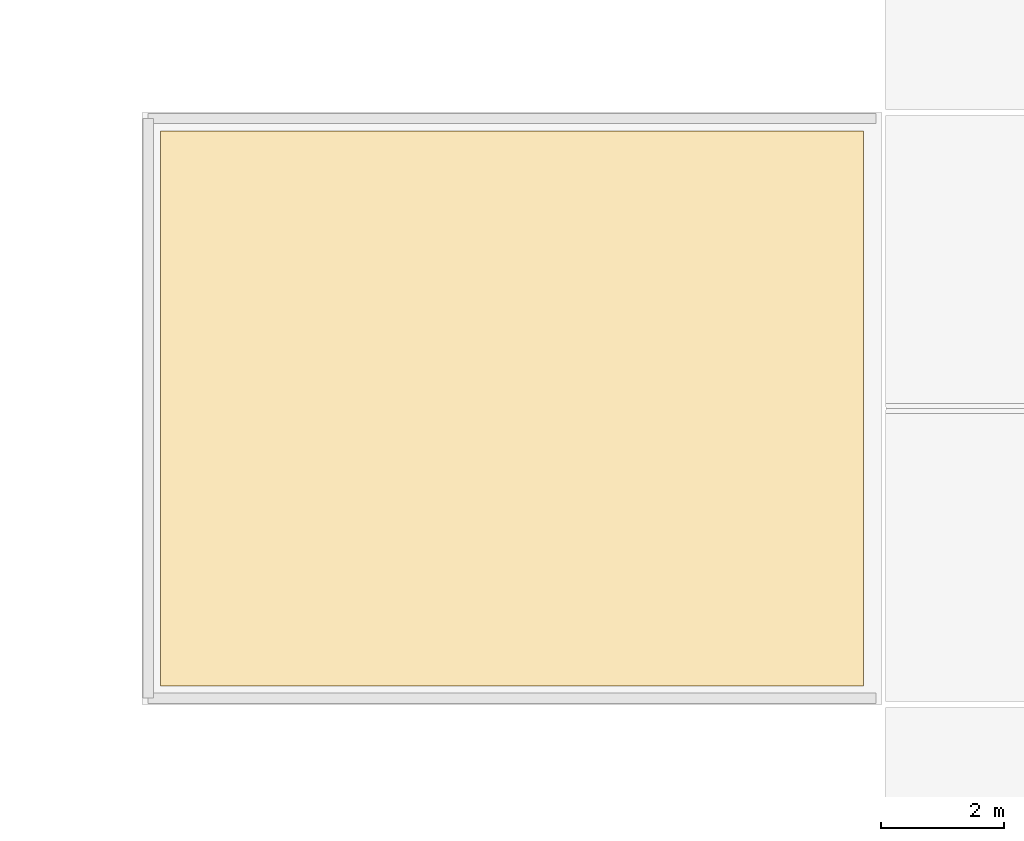
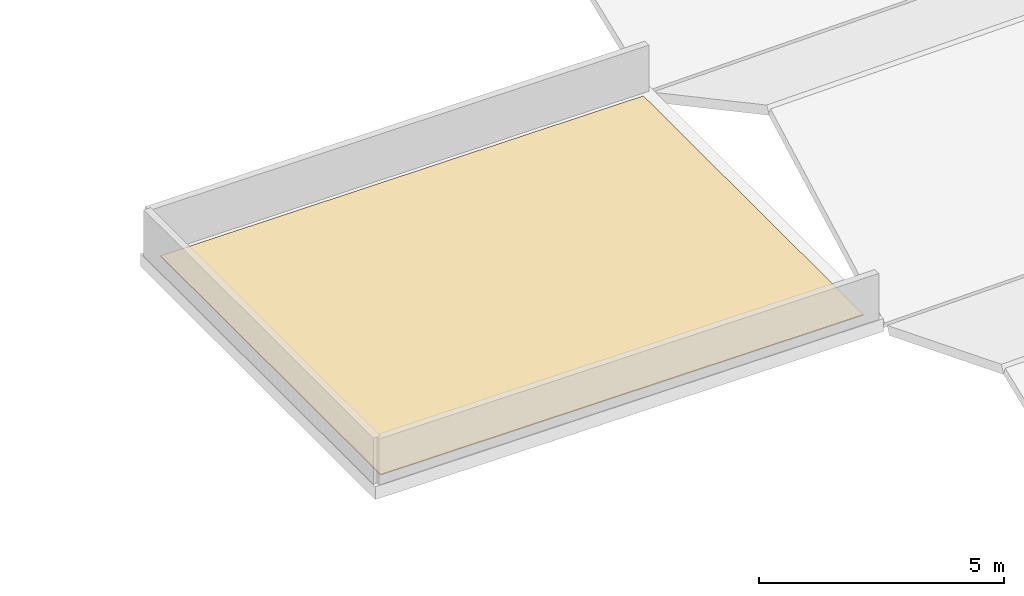
# One storey, part 4 of 4: 1 covering.
"""IFC4 building model written with IfcOpenShell, lengths in metres."""

from ifc_helpers import new_model, si_unit, direction, frame, origin, place, context, subcontext, project, spatial, polyline, outline, extrude, material, layer, layer_set, type_object, element, save


model = new_model("IFC4")

# Units and contexts
model_context = context("Model", 3, precision=1e-05, world=origin(), true_north=direction((0.0, 1.0)))
body_context = subcontext(model_context, "Body", "Model", "MODEL_VIEW")
ifc_project = project(units=[si_unit("LENGTHUNIT", "METRE"), si_unit("AREAUNIT", "SQUARE_METRE"), si_unit("VOLUMEUNIT", "CUBIC_METRE"), si_unit("PLANEANGLEUNIT", "RADIAN"), si_unit("MASSUNIT", "GRAM", prefix="KILO")], contexts=[model_context])

# Site, building, storey
site_placement = place(None, origin())
site = spatial("IfcSite", under=ifc_project, at=site_placement, CompositionType="ELEMENT")
building_placement = place(site_placement, origin())
building = spatial("IfcBuilding", under=site, at=building_placement, Name="Pandanus Reach Market Hall", CompositionType="ELEMENT")
storey_placement = place(building_placement, frame((0.0, 0.0, 22.800048828125)))
storey = spatial("IfcBuildingStorey", under=building, at=storey_placement, Name="RF", CompositionType="ELEMENT", Elevation=22.800048828125)

# Covering
ifc_material = material(Name="Reflective EPDM waterproof roofing membrane")
ifc_layer = layer(ifc_material, 0.02490234375, Name="RFG-MEM-25")
ifc_layer_set = layer_set([ifc_layer], Name="Reflective EPDM waterproof roofing membrane")
covering_type = type_object("IfcCoveringType", Name="RFG-MEM-25", PredefinedType="ROOFING", material=ifc_layer_set)
covering_placement = place(storey_placement, origin())
element("IfcCovering", 1, at=covering_placement, inside=storey, type_object=covering_type, Name="Roof membrane covering RF.6", PredefinedType="ROOFING", context=body_context, shape_type="SweptSolid", body=[
    extrude(outline(polyline([(144.300048828125, 48.300048828125), (155.699951171875, 48.300048828125), (155.699951171875, 57.300048828125), (144.300048828125, 57.300048828125), (144.300048828125, 48.300048828125)])), origin(), (0.0, 0.0, 1.0), 0.02490234375),
])

save(model, "model.ifc")
